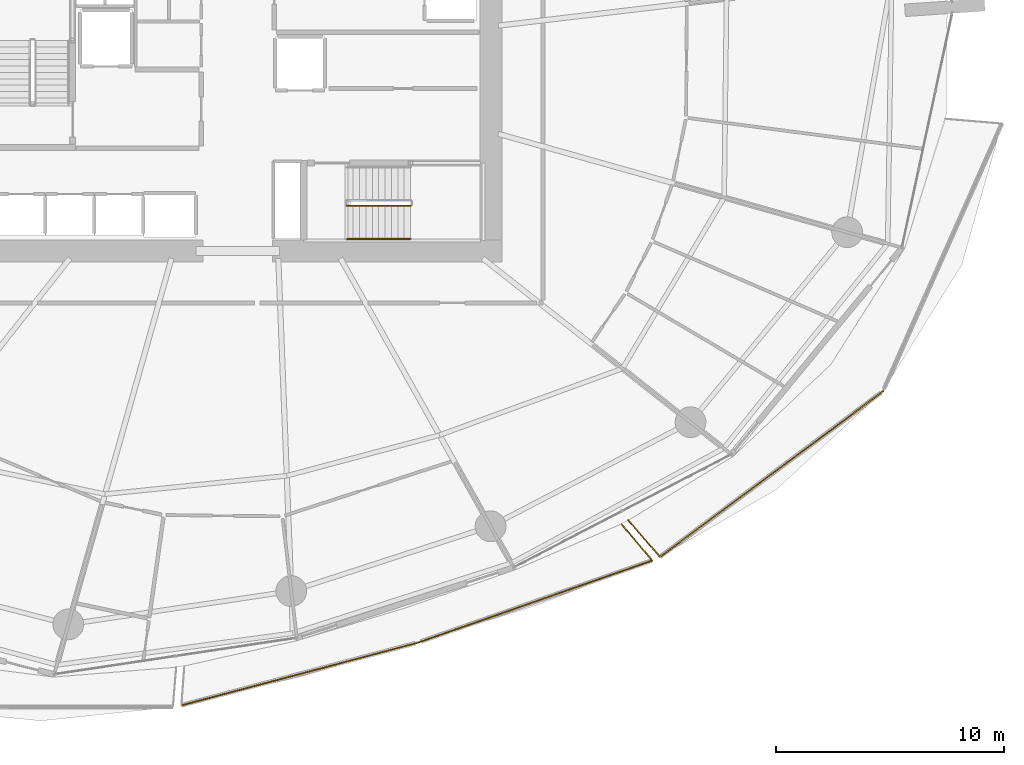
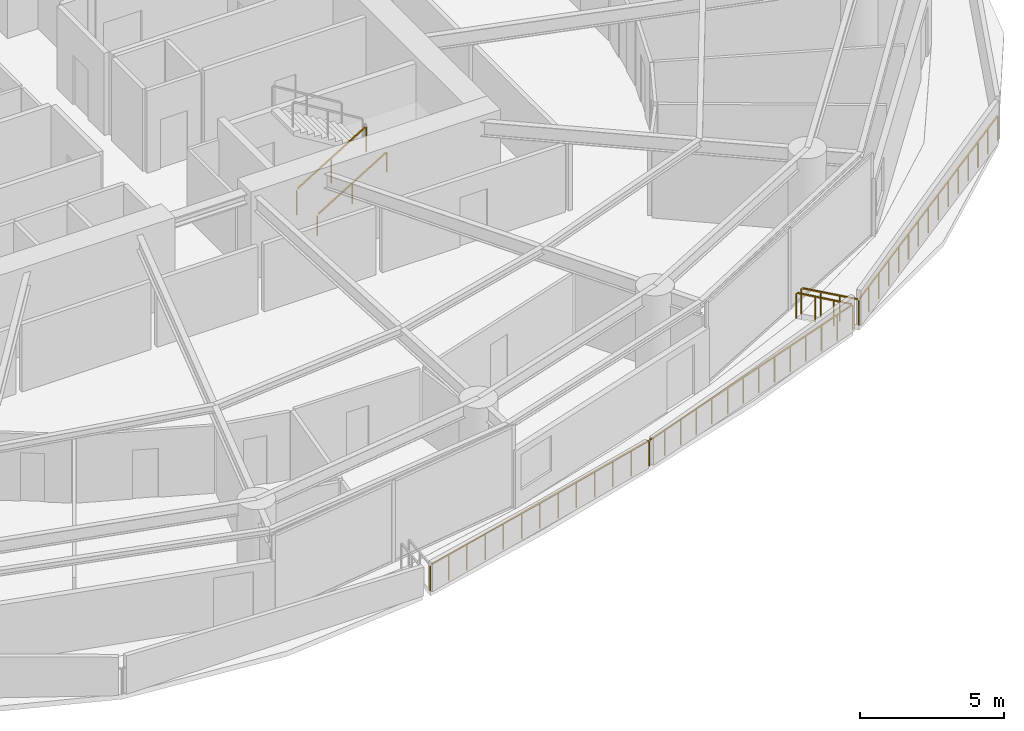
# One storey, part 27 of 31: 7 railings.
"""IFC4 building model written with IfcOpenShell, lengths in metres."""

from ifc_helpers import new_model, si_unit, direction, frame, origin, origin_2d, place, context, subcontext, project, spatial, rectangle, extrude, material, type_object, element, save


model = new_model("IFC4")

# Units and contexts
model_context = context("Model", 3, precision=1e-05, world=origin(), true_north=direction((0.0, 1.0)))
body_context = subcontext(model_context, "Body", "Model", "MODEL_VIEW")
ifc_project = project(units=[si_unit("LENGTHUNIT", "METRE"), si_unit("AREAUNIT", "SQUARE_METRE"), si_unit("VOLUMEUNIT", "CUBIC_METRE"), si_unit("PLANEANGLEUNIT", "RADIAN"), si_unit("MASSUNIT", "GRAM", prefix="KILO")], contexts=[model_context])

# Site, building, storey
site_placement = place(None, origin())
site = spatial("IfcSite", under=ifc_project, at=site_placement, CompositionType="ELEMENT")
building_placement = place(site_placement, origin())
building = spatial("IfcBuilding", under=site, at=building_placement, Name="Kazma Halo Residences", CompositionType="ELEMENT")
storey_placement = place(building_placement, frame((0.0, 0.0, 30.14990234375)))
storey = spatial("IfcBuildingStorey", under=building, at=storey_placement, Name="L06", CompositionType="ELEMENT", Elevation=30.14990234375)

# Railings
ifc_material_1 = material(Name="Aluminium AW-6063 T6 Brushed Cap Rail", Category="aluminium")
railing_type_1 = type_object("IfcRailingType", Name="RLG-BAL-CAP-1120", PredefinedType="BALUSTRADE", material=ifc_material_1)
railing_1_placement = place(storey_placement, frame((45.93896484375, 13.593505859375, 0.0)))
element("IfcRailing", 1, at=railing_1_placement, inside=storey, type_object=railing_type_1, Name="L06 SSE wave balcony guard 2", PredefinedType="BALUSTRADE", context=body_context, shape_type="SweptSolid", body=[
    extrude(rectangle(XDim=0.050048828125, YDim=0.050048828125, at=origin_2d()), frame((0.041015625, 0.010986328125, 1.09521484375), z_axis=(0.96658520926, 0.256345534853, 0.0), x_axis=(-0.256345534853, 0.96658520926, 0.0)), (0.0, 0.0, 1.0), 10.669189453125),
    extrude(rectangle(XDim=0.0400390625, YDim=0.0400390625, at=origin_2d()), origin(), (0.0, 0.0, 1.0), 1.05810546875),
    extrude(rectangle(XDim=0.0400390625, YDim=0.0400390625, at=origin_2d()), frame((0.8662109375, 0.229736328125, 0.0)), (0.0, 0.0, 1.0), 1.05810546875),
    extrude(rectangle(XDim=0.0400390625, YDim=0.0400390625, at=origin_2d()), frame((1.732421875, 0.45947265625, 0.0)), (0.0, 0.0, 1.0), 1.05810546875),
    extrude(rectangle(XDim=0.0400390625, YDim=0.0400390625, at=origin_2d()), frame((2.5986328125, 0.689208984375, 0.0)), (0.0, 0.0, 1.0), 1.05810546875),
    extrude(rectangle(XDim=0.0400390625, YDim=0.0400390625, at=origin_2d()), frame((3.465087890625, 0.9189453125, 0.0)), (0.0, 0.0, 1.0), 1.05810546875),
    extrude(rectangle(XDim=0.0400390625, YDim=0.0400390625, at=origin_2d()), frame((4.331298828125, 1.148681640625, 0.0)), (0.0, 0.0, 1.0), 1.05810546875),
    extrude(rectangle(XDim=0.0400390625, YDim=0.0400390625, at=origin_2d()), frame((5.197509765625, 1.37841796875, 0.0)), (0.0, 0.0, 1.0), 1.05810546875),
    extrude(rectangle(XDim=0.0400390625, YDim=0.0400390625, at=origin_2d()), frame((6.063720703125, 1.608154296875, 0.0)), (0.0, 0.0, 1.0), 1.05810546875),
    extrude(rectangle(XDim=0.0400390625, YDim=0.0400390625, at=origin_2d()), frame((6.929931640625, 1.837890625, 0.0)), (0.0, 0.0, 1.0), 1.05810546875),
    extrude(rectangle(XDim=0.0400390625, YDim=0.0400390625, at=origin_2d()), frame((7.79638671875, 2.067626953125, 0.0)), (0.0, 0.0, 1.0), 1.05810546875),
    extrude(rectangle(XDim=0.0400390625, YDim=0.0400390625, at=origin_2d()), frame((8.66259765625, 2.29736328125, 0.0)), (0.0, 0.0, 1.0), 1.05810546875),
    extrude(rectangle(XDim=0.0400390625, YDim=0.0400390625, at=origin_2d()), frame((9.52880859375, 2.527099609375, 0.0)), (0.0, 0.0, 1.0), 1.05810546875),
    extrude(rectangle(XDim=0.0400390625, YDim=0.0400390625, at=origin_2d()), frame((10.39501953125, 2.7568359375, 0.0)), (0.0, 0.0, 1.0), 1.05810546875),
])
railing_2_placement = place(storey_placement, frame((56.333984375, 16.350341796875, 0.0)))
element("IfcRailing", 2, at=railing_2_placement, inside=storey, type_object=railing_type_1, Name="L06 SSE wave balcony guard 3", PredefinedType="BALUSTRADE", context=body_context, shape_type="SweptSolid", body=[
    extrude(rectangle(XDim=0.050048828125, YDim=0.050048828125, at=origin_2d()), frame((0.0400390625, 0.01416015625, 1.09521484375), z_axis=(0.94363281915, 0.330994112672, 0.0), x_axis=(-0.330994112672, 0.94363281915, 0.0)), (0.0, 0.0, 1.0), 10.793701171875),
    extrude(rectangle(XDim=0.0400390625, YDim=0.0400390625, at=origin_2d()), origin(), (0.0, 0.0, 1.0), 1.05810546875),
    extrude(rectangle(XDim=0.0400390625, YDim=0.0400390625, at=origin_2d()), frame((0.78955078125, 0.277099609375, 0.0)), (0.0, 0.0, 1.0), 1.05810546875),
    extrude(rectangle(XDim=0.0400390625, YDim=0.0400390625, at=origin_2d()), frame((1.579345703125, 0.553955078125, 0.0)), (0.0, 0.0, 1.0), 1.05810546875),
    extrude(rectangle(XDim=0.0400390625, YDim=0.0400390625, at=origin_2d()), frame((2.368896484375, 0.8310546875, 0.0)), (0.0, 0.0, 1.0), 1.05810546875),
    extrude(rectangle(XDim=0.0400390625, YDim=0.0400390625, at=origin_2d()), frame((3.15869140625, 1.10791015625, 0.0)), (0.0, 0.0, 1.0), 1.05810546875),
    extrude(rectangle(XDim=0.0400390625, YDim=0.0400390625, at=origin_2d()), frame((3.9482421875, 1.385009765625, 0.0)), (0.0, 0.0, 1.0), 1.05810546875),
    extrude(rectangle(XDim=0.0400390625, YDim=0.0400390625, at=origin_2d()), frame((4.738037109375, 1.661865234375, 0.0)), (0.0, 0.0, 1.0), 1.05810546875),
    extrude(rectangle(XDim=0.0400390625, YDim=0.0400390625, at=origin_2d()), frame((5.527587890625, 1.93896484375, 0.0)), (0.0, 0.0, 1.0), 1.05810546875),
    extrude(rectangle(XDim=0.0400390625, YDim=0.0400390625, at=origin_2d()), frame((6.3173828125, 2.2158203125, 0.0)), (0.0, 0.0, 1.0), 1.05810546875),
    extrude(rectangle(XDim=0.0400390625, YDim=0.0400390625, at=origin_2d()), frame((7.10693359375, 2.492919921875, 0.0)), (0.0, 0.0, 1.0), 1.05810546875),
    extrude(rectangle(XDim=0.0400390625, YDim=0.0400390625, at=origin_2d()), frame((7.896728515625, 2.769775390625, 0.0)), (0.0, 0.0, 1.0), 1.05810546875),
    extrude(rectangle(XDim=0.0400390625, YDim=0.0400390625, at=origin_2d()), frame((8.686279296875, 3.046875, 0.0)), (0.0, 0.0, 1.0), 1.05810546875),
    extrude(rectangle(XDim=0.0400390625, YDim=0.0400390625, at=origin_2d()), frame((9.47607421875, 3.32373046875, 0.0)), (0.0, 0.0, 1.0), 1.05810546875),
    extrude(rectangle(XDim=0.0400390625, YDim=0.0400390625, at=origin_2d()), frame((10.265625, 3.600830078125, 0.0)), (0.0, 0.0, 1.0), 1.05810546875),
])
railing_3_placement = place(storey_placement, frame((66.599609375, 19.951171875, 0.0)))
element("IfcRailing", 3, at=railing_3_placement, inside=storey, type_object=railing_type_1, Name="L06 SSE wave balcony guard 4", PredefinedType="BALUSTRADE", context=body_context, shape_type="SweptSolid", body=[
    extrude(rectangle(XDim=0.050048828125, YDim=0.050048828125, at=origin_2d()), frame((-0.02734375, 0.032470703125, 1.09521484375), z_axis=(-0.644756106084, 0.764388359191, 0.0), x_axis=(-0.764388359191, -0.644756106084, 0.0)), (0.0, 0.0, 1.0), 2.0107421875),
    extrude(rectangle(XDim=0.0400390625, YDim=0.0400390625, at=origin_2d()), origin(), (0.0, 0.0, 1.0), 1.05810546875),
    extrude(rectangle(XDim=0.0400390625, YDim=0.0400390625, at=origin_2d()), frame((-0.450439453125, 0.533935546875, 0.0)), (0.0, 0.0, 1.0), 1.05810546875),
    extrude(rectangle(XDim=0.0400390625, YDim=0.0400390625, at=origin_2d()), frame((-0.90087890625, 1.068115234375, 0.0)), (0.0, 0.0, 1.0), 1.05810546875),
    extrude(rectangle(XDim=0.0400390625, YDim=0.0400390625, at=origin_2d()), frame((-1.351318359375, 1.60205078125, 0.0)), (0.0, 0.0, 1.0), 1.05810546875),
])
railing_4_placement = place(storey_placement, frame((65.546142578125, 21.70849609375, 0.0)))
element("IfcRailing", 4, at=railing_4_placement, inside=storey, type_object=railing_type_1, Name="L06 SE wave balcony guard 1", PredefinedType="BALUSTRADE", context=body_context, shape_type="SweptSolid", body=[
    extrude(rectangle(XDim=0.050048828125, YDim=0.050048828125, at=origin_2d()), frame((0.02783203125, -0.0322265625, 1.09521484375), z_axis=(0.654075382173, -0.756429371743, 0.0), x_axis=(0.756429371743, 0.654075382173, 0.0)), (0.0, 0.0, 1.0), 2.035400390625),
    extrude(rectangle(XDim=0.0400390625, YDim=0.0400390625, at=origin_2d()), origin(), (0.0, 0.0, 1.0), 1.05810546875),
    extrude(rectangle(XDim=0.0400390625, YDim=0.0400390625, at=origin_2d()), frame((0.46240234375, -0.53466796875, 0.0)), (0.0, 0.0, 1.0), 1.05810546875),
    extrude(rectangle(XDim=0.0400390625, YDim=0.0400390625, at=origin_2d()), frame((0.924560546875, -1.0693359375, 0.0)), (0.0, 0.0, 1.0), 1.05810546875),
    extrude(rectangle(XDim=0.0400390625, YDim=0.0400390625, at=origin_2d()), frame((1.386962890625, -1.60400390625, 0.0)), (0.0, 0.0, 1.0), 1.05810546875),
])
railing_5_placement = place(storey_placement, frame((66.93310546875, 20.1044921875, 0.0)))
element("IfcRailing", 5, at=railing_5_placement, inside=storey, type_object=railing_type_1, Name="L06 SE wave balcony guard 2", PredefinedType="BALUSTRADE", context=body_context, shape_type="SweptSolid", body=[
    extrude(rectangle(XDim=0.050048828125, YDim=0.050048828125, at=origin_2d()), frame((0.0341796875, 0.025390625, 1.09521484375), z_axis=(0.802949864107, 0.596046571779, 0.0), x_axis=(-0.596046571779, 0.802949864107, 0.0)), (0.0, 0.0, 1.0), 12.1005859375),
    extrude(rectangle(XDim=0.0400390625, YDim=0.0400390625, at=origin_2d()), origin(), (0.0, 0.0, 1.0), 1.05810546875),
    extrude(rectangle(XDim=0.0400390625, YDim=0.0400390625, at=origin_2d()), frame((0.698974609375, 0.518798828125, 0.0)), (0.0, 0.0, 1.0), 1.05810546875),
    extrude(rectangle(XDim=0.0400390625, YDim=0.0400390625, at=origin_2d()), frame((1.397705078125, 1.03759765625, 0.0)), (0.0, 0.0, 1.0), 1.05810546875),
    extrude(rectangle(XDim=0.0400390625, YDim=0.0400390625, at=origin_2d()), frame((2.0966796875, 1.556396484375, 0.0)), (0.0, 0.0, 1.0), 1.05810546875),
    extrude(rectangle(XDim=0.0400390625, YDim=0.0400390625, at=origin_2d()), frame((2.795654296875, 2.0751953125, 0.0)), (0.0, 0.0, 1.0), 1.05810546875),
    extrude(rectangle(XDim=0.0400390625, YDim=0.0400390625, at=origin_2d()), frame((3.494384765625, 2.593994140625, 0.0)), (0.0, 0.0, 1.0), 1.05810546875),
    extrude(rectangle(XDim=0.0400390625, YDim=0.0400390625, at=origin_2d()), frame((4.193359375, 3.11279296875, 0.0)), (0.0, 0.0, 1.0), 1.05810546875),
    extrude(rectangle(XDim=0.0400390625, YDim=0.0400390625, at=origin_2d()), frame((4.89208984375, 3.631591796875, 0.0)), (0.0, 0.0, 1.0), 1.05810546875),
    extrude(rectangle(XDim=0.0400390625, YDim=0.0400390625, at=origin_2d()), frame((5.591064453125, 4.150390625, 0.0)), (0.0, 0.0, 1.0), 1.05810546875),
    extrude(rectangle(XDim=0.0400390625, YDim=0.0400390625, at=origin_2d()), frame((6.2900390625, 4.669189453125, 0.0)), (0.0, 0.0, 1.0), 1.05810546875),
    extrude(rectangle(XDim=0.0400390625, YDim=0.0400390625, at=origin_2d()), frame((6.98876953125, 5.18798828125, 0.0)), (0.0, 0.0, 1.0), 1.05810546875),
    extrude(rectangle(XDim=0.0400390625, YDim=0.0400390625, at=origin_2d()), frame((7.687744140625, 5.706787109375, 0.0)), (0.0, 0.0, 1.0), 1.05810546875),
    extrude(rectangle(XDim=0.0400390625, YDim=0.0400390625, at=origin_2d()), frame((8.38671875, 6.2255859375, 0.0)), (0.0, 0.0, 1.0), 1.05810546875),
    extrude(rectangle(XDim=0.0400390625, YDim=0.0400390625, at=origin_2d()), frame((9.08544921875, 6.744384765625, 0.0)), (0.0, 0.0, 1.0), 1.05810546875),
    extrude(rectangle(XDim=0.0400390625, YDim=0.0400390625, at=origin_2d()), frame((9.784423828125, 7.26318359375, 0.0)), (0.0, 0.0, 1.0), 1.05810546875),
])
ifc_material_2 = material(Name="Painted Steel S355", Category="steel")
railing_type_2 = type_object("IfcRailingType", Name="RLG-STAIR-GRD-1100", PredefinedType="GUARDRAIL", material=ifc_material_2)
railing_6_placement = place(storey_placement, frame((53.199951171875, 35.5, 0.170654296875)))
element("IfcRailing", 6, at=railing_6_placement, inside=storey, type_object=railing_type_2, Name="L06 ST-03 stair guard 1", PredefinedType="GUARDRAIL", context=body_context, shape_type="SweptSolid", body=[
    extrude(rectangle(XDim=0.050048828125, YDim=0.050048828125, at=origin_2d()), frame((0.036376953125, 0.0, 1.09716796875), z_axis=(0.854202870247, 0.0, 0.519939858505), x_axis=(0.0, 1.0, 0.0)), (0.0, 0.0, 1.0), 3.19287109375),
    extrude(rectangle(XDim=0.0400390625, YDim=0.0400390625, at=origin_2d()), origin(), (0.0, 0.0, 1.0), 1.0380859375),
    extrude(rectangle(XDim=0.0400390625, YDim=0.0400390625, at=origin_2d()), frame((1.39990234375, 0.0, 0.85205078125)), (0.0, 0.0, 1.0), 1.0380859375),
    extrude(rectangle(XDim=0.0400390625, YDim=0.0400390625, at=origin_2d()), frame((2.800048828125, 0.0, 1.704345703125)), (0.0, 0.0, 1.0), 1.0380859375),
])
ifc_material_3 = material(Name="Brushed Stainless Steel", Category="steel")
railing_type_3 = type_object("IfcRailingType", Name="RLG-STAIR-HND-900", PredefinedType="HANDRAIL", material=ifc_material_3)
railing_7_placement = place(storey_placement, frame((53.199951171875, 34.050048828125, 0.170654296875)))
element("IfcRailing", 7, at=railing_7_placement, inside=storey, type_object=railing_type_3, Name="L06 ST-03 stair handrail 1", PredefinedType="HANDRAIL", context=body_context, shape_type="SweptSolid", body=[
    extrude(rectangle(XDim=0.050048828125, YDim=0.050048828125, at=origin_2d()), frame((0.036376953125, 0.0, 0.89697265625), z_axis=(0.854202870247, 0.0, 0.519939858505), x_axis=(0.0, 1.0, 0.0)), (0.0, 0.0, 1.0), 3.19287109375),
    extrude(rectangle(XDim=0.0400390625, YDim=0.0400390625, at=origin_2d()), origin(), (0.0, 0.0, 1.0), 0.837890625),
    extrude(rectangle(XDim=0.0400390625, YDim=0.0400390625, at=origin_2d()), frame((1.39990234375, 0.0, 0.85205078125)), (0.0, 0.0, 1.0), 0.837890625),
    extrude(rectangle(XDim=0.0400390625, YDim=0.0400390625, at=origin_2d()), frame((2.800048828125, 0.0, 1.704345703125)), (0.0, 0.0, 1.0), 0.837890625),
])

save(model, "model.ifc")
